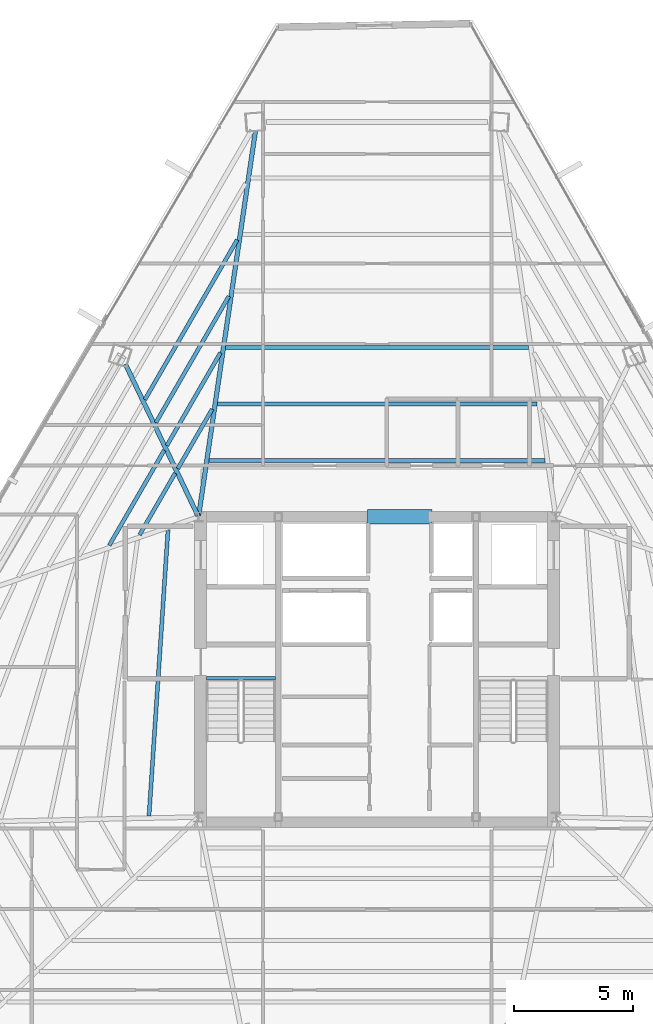
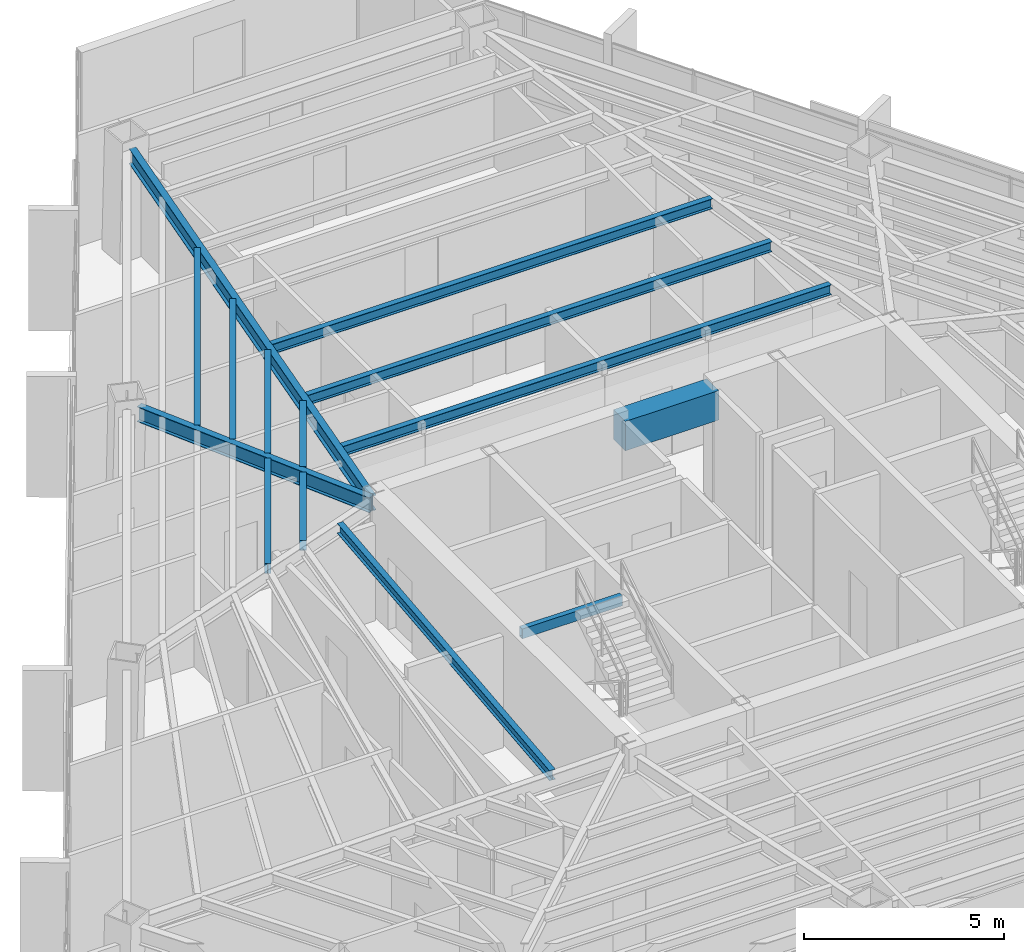
# One storey, part 17 of 42: 14 beams.
"""IFC4 building model written with IfcOpenShell, lengths in metres."""

import ifcopenshell
import ifcopenshell.guid

model = None  # the IFC model being written
_history = None  # IfcOwnerHistory: only IFC2X3 demands one
_inside = {}  # id of a spatial element -> (the spatial element, [elements in it])
_under = {}  # id of a project, library or spatial element -> (it, [spatial elements below it])
_declared = {}  # id of a project -> (the project, [libraries it declares])
_typed = {}  # id of a type object -> (the type object, [elements of that type])
_made_of = {}  # id of a material, layer set ... -> (it, [elements and type objects made of it])


def new_model(schema):
    """Start an empty IFC model of exactly this schema.

    Asked for "IFC4X3", IfcOpenShell would pick the latest addendum, in which some entities
    have other attributes; the version numbers below select the first issue.
    IFC2X3 requires an IfcOwnerHistory on every rooted entity: one is made here for all.
    """
    global model, _history
    if schema == "IFC4X3":
        model = ifcopenshell.file(schema_version=(4, 3, 0, 0))
    else:
        model = ifcopenshell.file(schema=schema)
    _inside.clear()
    _under.clear()
    _declared.clear()
    _typed.clear()
    _made_of.clear()
    _history = None
    if model.schema == "IFC2X3":
        org = make("IfcOrganization", Name="unknown")
        user = make(
            "IfcPersonAndOrganization",
            ThePerson=make("IfcPerson", FamilyName="unknown"),
            TheOrganization=org,
        )
        app = make(
            "IfcApplication",
            ApplicationDeveloper=org,
            Version="unknown",
            ApplicationFullName="unknown",
            ApplicationIdentifier="unknown",
        )
        _history = make(
            "IfcOwnerHistory",
            OwningUser=user,
            OwningApplication=app,
            ChangeAction="ADDED",
            CreationDate=0,
        )
    return model


def make(cls, **values):
    """One entity of the class cls with the attributes given. An attribute that is None is left unset."""
    return model.create_entity(
        cls, **{name: value for name, value in values.items() if value is not None}
    )


def rooted(cls, **values):
    """An entity with a GlobalId (a new one), such as an element, a storey or a relation."""
    return make(cls, GlobalId=ifcopenshell.guid.new(), OwnerHistory=_history, **values)


def si_unit(unit_type, name, prefix=None):
    """IfcSIUnit, for example si_unit("LENGTHUNIT", "METRE", prefix="MILLI")."""
    return make("IfcSIUnit", UnitType=unit_type, Prefix=prefix, Name=name)


def assignment(units):
    """IfcUnitAssignment: the units of a project."""
    return None if units is None else make("IfcUnitAssignment", Units=units)


def point(xyz):
    """IfcCartesianPoint."""
    return None if xyz is None else make("IfcCartesianPoint", Coordinates=xyz)


def direction(xyz):
    """IfcDirection."""
    return None if xyz is None else make("IfcDirection", DirectionRatios=xyz)


def frame(location, z_axis=None, x_axis=None):
    """IfcAxis2Placement3D, a coordinate frame: its origin and axes. An axis left out is left unset."""
    return make(
        "IfcAxis2Placement3D",
        Location=point(location),
        Axis=direction(z_axis),
        RefDirection=direction(x_axis),
    )


def frame_2d(location, x_axis=None):
    """IfcAxis2Placement2D, a coordinate frame in the plane: its origin and x axis."""
    return make(
        "IfcAxis2Placement2D", Location=point(location), RefDirection=direction(x_axis)
    )


def origin():
    """The frame at (0, 0, 0) with its axes left unset."""
    return frame((0.0, 0.0, 0.0))


def origin_2d():
    """The frame at (0, 0) in the plane with its x axis left unset."""
    return frame_2d((0.0, 0.0))


def place(relative_to, where):
    """IfcLocalPlacement: puts the frame where relative to a parent placement (None: the world)."""
    return make(
        "IfcLocalPlacement", PlacementRelTo=relative_to, RelativePlacement=where
    )


def context(
    kind, dimensions, precision=None, world=None, true_north=None, identifier=None
):
    """IfcGeometricRepresentationContext, for example the 3D "Model" context."""
    return make(
        "IfcGeometricRepresentationContext",
        ContextIdentifier=identifier,
        ContextType=kind,
        CoordinateSpaceDimension=dimensions,
        Precision=precision,
        WorldCoordinateSystem=world,
        TrueNorth=true_north,
    )


def subcontext(parent, identifier, kind, view, scale=None):
    """IfcGeometricRepresentationSubContext, for example "Body" below "Model"."""
    return make(
        "IfcGeometricRepresentationSubContext",
        ContextIdentifier=identifier,
        ContextType=kind,
        ParentContext=parent,
        TargetScale=scale,
        TargetView=view,
    )


def project(units=None, contexts=None):
    """IfcProject with its units and contexts."""
    return rooted(
        "IfcProject",
        Name="project",
        RepresentationContexts=contexts,
        UnitsInContext=assignment(units),
    )


def spatial(cls, under=None, at=None, **own):
    """A site, building, storey or space (cls), placed at a placement, below another one or the project."""
    s = rooted(cls, ObjectPlacement=at, **own)
    if under is not None:
        _under.setdefault(under.id(), (under, []))[1].append(s)
    return s


def profile(cls, at=None, kind="AREA", **sizes):
    """A parametric profile (cls). Its sizes go by their IFC names, for example OverallWidth=200.0."""
    return make(cls, ProfileType=kind, Position=at, **sizes)


def rectangle(**sizes):
    """IfcRectangleProfileDef."""
    return profile("IfcRectangleProfileDef", **sizes)


def hollow_rectangle(**sizes):
    """IfcRectangleHollowProfileDef."""
    return profile("IfcRectangleHollowProfileDef", **sizes)


def i_section(**sizes):
    """IfcIShapeProfileDef."""
    return profile("IfcIShapeProfileDef", **sizes)


def extrude(swept, where, along, depth):
    """IfcExtrudedAreaSolid: the profile swept, set in the frame where, extruded along a direction by depth."""
    return make(
        "IfcExtrudedAreaSolid",
        SweptArea=swept,
        Position=where,
        ExtrudedDirection=direction(along),
        Depth=depth,
    )


def shape(context_of_items, identifier, shape_type, items):
    """IfcShapeRepresentation: the items that make up one representation, for example the "Body"."""
    return make(
        "IfcShapeRepresentation",
        ContextOfItems=context_of_items,
        RepresentationIdentifier=identifier,
        RepresentationType=shape_type,
        Items=items,
    )


def source(mapping_origin, context_of_items, identifier, shape_type, items):
    """IfcRepresentationMap: a shape defined once, which mapped items show again and again."""
    return make(
        "IfcRepresentationMap",
        MappingOrigin=mapping_origin,
        MappedRepresentation=shape(context_of_items, identifier, shape_type, items),
    )


def transform(
    local_origin,
    x_axis=None,
    y_axis=None,
    z_axis=None,
    scale=None,
    scale2=None,
    scale3=None,
    uniform=True,
):
    """IfcCartesianTransformationOperator3D, or its non-uniform kind. x_axis, y_axis, z_axis: its Axis1, 2, 3."""
    if uniform:
        return make(
            "IfcCartesianTransformationOperator3D",
            Axis1=direction(x_axis),
            Axis2=direction(y_axis),
            LocalOrigin=point(local_origin),
            Scale=scale,
            Axis3=direction(z_axis),
        )
    return make(
        "IfcCartesianTransformationOperator3DnonUniform",
        Axis1=direction(x_axis),
        Axis2=direction(y_axis),
        LocalOrigin=point(local_origin),
        Scale=scale,
        Axis3=direction(z_axis),
        Scale2=scale2,
        Scale3=scale3,
    )


def mapped(mapping_source, mapping_target):
    """IfcMappedItem: shows the shape of a source again, moved by a transform."""
    return make(
        "IfcMappedItem", MappingSource=mapping_source, MappingTarget=mapping_target
    )


def material(Name=None, Category=None):
    """IfcMaterial."""
    return make("IfcMaterial", Name=Name, Category=Category)


def material_profile(
    of_material, cross_section, Name=None, Category=None, Priority=None
):
    """IfcMaterialProfile: a cross section and its material."""
    return make(
        "IfcMaterialProfile",
        Name=Name,
        Material=of_material,
        Profile=cross_section,
        Priority=Priority,
        Category=Category,
    )


def profile_set(profiles, Name=None, composite=None):
    """IfcMaterialProfileSet."""
    return make(
        "IfcMaterialProfileSet",
        Name=Name,
        MaterialProfiles=profiles,
        CompositeProfile=composite,
    )


def made_of(thing, what):
    """Note that an element or type object is made of a material, layer set ...; save() writes the relation."""
    if what is not None:
        _made_of.setdefault(what.id(), (what, []))[1].append(thing)
    return thing


def type_object(cls, material=None, **own):
    """A type object (cls), such as IfcWallType, which elements share."""
    return made_of(rooted(cls, **own), material)


def type_shapes(of_type, sources):
    """Give a type object the sources (RepresentationMaps) that its elements show as mapped items."""
    of_type.RepresentationMaps = sources


def element(
    cls,
    number,
    at=None,
    inside=None,
    cuts=None,
    type_object=None,
    material=None,
    context=None,
    identifier="Body",
    shape_type=None,
    held_by="IfcProductDefinitionShape",
    body=None,
    shapes=None,
    **own,
):
    """One element of the class cls, such as IfcWall. Its Tag is "e" and its number.

    at: its placement. inside: the storey or other place that contains it. cuts: it is an
    opening in that element (IfcRelVoidsElement). A single representation is given by context,
    identifier, shape_type and body (its items); several are given by shapes. held_by: the class
    of the entity that holds the representations. save() writes the other relations.
    """
    e = rooted(cls, Tag="e%d" % number, ObjectPlacement=at, **own)
    if body is not None:
        shapes = [shape(context, identifier, shape_type, body)]
    if shapes is not None:
        e.Representation = make(held_by, Representations=shapes)
    if inside is not None:
        _inside.setdefault(inside.id(), (inside, []))[1].append(e)
    if cuts is not None:
        rooted(
            "IfcRelVoidsElement", RelatingBuildingElement=cuts, RelatedOpeningElement=e
        )
    if type_object is not None:
        _typed.setdefault(type_object.id(), (type_object, []))[1].append(e)
    return made_of(e, material)


def aggregate(whole, parts):
    """IfcRelAggregates: a whole, such as a stair, and the parts it consists of."""
    return rooted("IfcRelAggregates", RelatingObject=whole, RelatedObjects=parts)


def save(model, path):
    """Write the relations noted so far, then the file.

    IfcRelAggregates (storeys below a building ...), IfcRelContainedInSpatialStructure (elements
    in a storey), IfcRelDefinesByType, IfcRelAssociatesMaterial and IfcRelDeclares: one each for
    every whole, place, type object, material and project.
    """
    for whole, parts in _under.values():
        aggregate(whole, parts)
    for where, things in _inside.values():
        rooted(
            "IfcRelContainedInSpatialStructure",
            RelatedElements=things,
            RelatingStructure=where,
        )
    for kind, things in _typed.values():
        rooted("IfcRelDefinesByType", RelatedObjects=things, RelatingType=kind)
    for what, things in _made_of.values():
        rooted("IfcRelAssociatesMaterial", RelatedObjects=things, RelatingMaterial=what)
    for by, libraries in _declared.values():
        rooted("IfcRelDeclares", RelatingContext=by, RelatedDefinitions=libraries)
    model.write(path)


model = new_model("IFC4")

# Units and contexts
model_context = context("Model", 3, precision=1e-05, world=origin(), true_north=direction((0.0, 1.0)))
body_context = subcontext(model_context, "Body", "Model", "MODEL_VIEW")
ifc_project = project(units=[si_unit("LENGTHUNIT", "METRE"), si_unit("AREAUNIT", "SQUARE_METRE"), si_unit("VOLUMEUNIT", "CUBIC_METRE"), si_unit("PLANEANGLEUNIT", "RADIAN"), si_unit("MASSUNIT", "GRAM", prefix="KILO")], contexts=[model_context])

# Site, building, storey
site_placement = place(None, origin())
site = spatial("IfcSite", under=ifc_project, at=site_placement, CompositionType="ELEMENT")
building_placement = place(site_placement, origin())
building = spatial("IfcBuilding", under=site, at=building_placement, Name="Caelisora Broadcast Tower", CompositionType="ELEMENT")
storey_placement = place(building_placement, frame((0.0, 0.0, 202.300048828125)))
storey = spatial("IfcBuildingStorey", under=building, at=storey_placement, Name="L53", CompositionType="ELEMENT", Elevation=202.300048828125)

# Beams
ifc_material_1 = material(Name="Steel Grade 350 (AS/NZS 1163 C350L0)", Category="steel")
ifc_material_profile_1 = material_profile(ifc_material_1, hollow_rectangle(XDim=0.14990234375, YDim=0.300048828125, WallThickness=0.010009765625, at=origin_2d()), Name="Steel Grade 350 (AS/NZS 1163 C350L0)")
ifc_profile_set_1 = profile_set([ifc_material_profile_1], Name="Steel Grade 350 (AS/NZS 1163 C350L0)")
beam_type_1 = type_object("IfcBeamType", Name="SB05", PredefinedType="JOIST", material=ifc_profile_set_1)
shared_shape_1 = source(origin(), body_context, "Body", "SweptSolid", [
    extrude(hollow_rectangle(XDim=0.14990234375, YDim=0.300048828125, WallThickness=0.010009765625, at=origin_2d()), origin(), (0.0, 0.0, 1.0), 2.89990234375),
])
type_shapes(beam_type_1, [shared_shape_1])
beam_1_placement = place(storey_placement, frame((30.840087890625, 23.219970703125, 3.25), z_axis=(1.0, 0.0, 0.0), x_axis=(0.0, 1.0, 0.0)))
element("IfcBeam", 1, at=beam_1_placement, inside=storey, type_object=beam_type_1, Name="L53 beam SB05", PredefinedType="JOIST", context=body_context, shape_type="MappedRepresentation", body=[
    mapped(shared_shape_1, transform((0.0, 0.0, 0.0), scale=1.0)),
])
ifc_material_2 = material(Name="Concrete 50 MPa (AS 3600 S50)", Category="concrete")
ifc_material_profile_2 = material_profile(ifc_material_2, rectangle(XDim=0.60009765625, YDim=0.89990234375, at=origin_2d()), Name="Concrete 50 MPa (AS 3600 S50)")
ifc_profile_set_2 = profile_set([ifc_material_profile_2], Name="Concrete 50 MPa (AS 3600 S50)")
beam_type_2 = type_object("IfcBeamType", Name="CB02", PredefinedType="LINTEL", material=ifc_profile_set_2)
shared_shape_2 = source(origin(), body_context, "Body", "SweptSolid", [
    extrude(rectangle(XDim=0.60009765625, YDim=0.89990234375, at=origin_2d()), origin(), (0.0, 0.0, 1.0), 2.699951171875),
])
type_shapes(beam_type_2, [shared_shape_2])
beam_2_placement = place(storey_placement, frame((37.60009765625, 30.0, 2.949951171875), z_axis=(1.0, 0.0, 0.0), x_axis=(0.0, 1.0, 0.0)))
element("IfcBeam", 2, at=beam_2_placement, inside=storey, type_object=beam_type_2, Name="L53 beam CB02", PredefinedType="LINTEL", context=body_context, shape_type="MappedRepresentation", body=[
    mapped(shared_shape_2, transform((0.0, 0.0, 0.0), scale=1.0)),
])
ifc_material_3 = material(Name="Steel Grade 350 (AS/NZS 3679.1)", Category="steel")
ifc_material_profile_3 = material_profile(ifc_material_3, i_section(OverallWidth=0.166015625, OverallDepth=0.30712890625, WebThickness=0.006591796875, FlangeThickness=0.01171875, at=origin_2d()), Name="Steel Grade 350 (AS/NZS 3679.1)")
ifc_profile_set_3 = profile_set([ifc_material_profile_3], Name="Steel Grade 350 (AS/NZS 3679.1)")
beam_type_3 = type_object("IfcBeamType", Name="SB03", PredefinedType="JOIST", material=ifc_profile_set_3)
shared_shape_3 = source(origin(), body_context, "Body", "SweptSolid", [
    extrude(i_section(OverallWidth=0.166015625, OverallDepth=0.30712890625, WebThickness=0.006591796875, FlangeThickness=0.01171875, at=origin_2d()), origin(), (0.0, 0.0, 1.0), 14.11328125),
])
beam_3_placement = place(storey_placement, frame((45.056640625, 32.369384765625, 3.246337890625), z_axis=(-1.0, 0.0, 0.0), x_axis=(0.0, -1.0, 0.0)))
element("IfcBeam", 3, at=beam_3_placement, inside=storey, type_object=beam_type_3, Name="L53 beam SB03", PredefinedType="JOIST", context=body_context, shape_type="MappedRepresentation", body=[
    mapped(shared_shape_3, transform((0.0, 0.0, 0.0), scale=1.0)),
])
shared_shape_4 = source(origin(), body_context, "Body", "SweptSolid", [
    extrude(i_section(OverallWidth=0.166015625, OverallDepth=0.30712890625, WebThickness=0.006591796875, FlangeThickness=0.01171875, at=origin_2d()), origin(), (0.0, 0.0, 1.0), 13.41357421875),
])
beam_4_placement = place(storey_placement, frame((44.706787109375, 34.73876953125, 3.246337890625), z_axis=(-1.0, 0.0, 0.0), x_axis=(0.0, -1.0, 0.0)))
element("IfcBeam", 4, at=beam_4_placement, inside=storey, type_object=beam_type_3, Name="L53 beam SB03", PredefinedType="JOIST", context=body_context, shape_type="MappedRepresentation", body=[
    mapped(shared_shape_4, transform((0.0, 0.0, 0.0), scale=1.0)),
])
ifc_material_profile_4 = material_profile(ifc_material_3, i_section(OverallWidth=0.19091796875, OverallDepth=0.46044921875, WebThickness=0.010009765625, FlangeThickness=0.01611328125, at=origin_2d()), Name="Steel Grade 350 (AS/NZS 3679.1)")
ifc_profile_set_4 = profile_set([ifc_material_profile_4], Name="Steel Grade 350 (AS/NZS 3679.1)")
beam_type_4 = type_object("IfcBeamType", Name="PG06", PredefinedType="BEAM", material=ifc_profile_set_4)
shared_shape_5 = source(origin(), body_context, "Body", "SweptSolid", [
    extrude(i_section(OverallWidth=0.19091796875, OverallDepth=0.46044921875, WebThickness=0.010009765625, FlangeThickness=0.01611328125, at=origin_2d()), origin(), (0.0, 0.0, 1.0), 16.32958984375),
])
beam_5_placement = place(storey_placement, frame((30.5087890625, 30.059326171875, 3.169677734375), z_axis=(0.146068575075, 0.98927446716, 0.0), x_axis=(-0.98927446716, 0.146068575075, 0.0)))
element("IfcBeam", 5, at=beam_5_placement, inside=storey, type_object=beam_type_4, Name="L53 beam PG06", PredefinedType="BEAM", context=body_context, shape_type="MappedRepresentation", body=[
    mapped(shared_shape_5, transform((0.0, 0.0, 0.0), scale=1.0)),
])
shared_shape_6 = source(origin(), body_context, "Body", "SweptSolid", [
    extrude(i_section(OverallWidth=0.19091796875, OverallDepth=0.46044921875, WebThickness=0.010009765625, FlangeThickness=0.01611328125, at=origin_2d()), origin(), (0.0, 0.0, 1.0), 7.047607421875),
])
type_shapes(beam_type_4, [shared_shape_5, shared_shape_6])
beam_6_placement = place(storey_placement, frame((30.47412109375, 30.05419921875, 3.169677734375), z_axis=(-0.431529042418, 0.902099044202, 0.0), x_axis=(-0.902099044202, -0.431529042418, 0.0)))
element("IfcBeam", 6, at=beam_6_placement, inside=storey, type_object=beam_type_4, Name="L53 beam PG06", PredefinedType="BEAM", context=body_context, shape_type="MappedRepresentation", body=[
    mapped(shared_shape_6, transform((0.0, 0.0, 0.0), scale=1.0)),
])
shared_shape_7 = source(origin(), body_context, "Body", "SweptSolid", [
    extrude(i_section(OverallWidth=0.166015625, OverallDepth=0.30712890625, WebThickness=0.006591796875, FlangeThickness=0.01171875, at=origin_2d()), origin(), (0.0, 0.0, 1.0), 12.7138671875),
])
beam_7_placement = place(storey_placement, frame((44.35693359375, 37.108154296875, 3.246337890625), z_axis=(-1.0, 0.0, 0.0), x_axis=(0.0, -1.0, 0.0)))
element("IfcBeam", 7, at=beam_7_placement, inside=storey, type_object=beam_type_3, Name="L53 beam SB03", PredefinedType="JOIST", context=body_context, shape_type="MappedRepresentation", body=[
    mapped(shared_shape_7, transform((0.0, 0.0, 0.0), scale=1.0)),
])
shared_shape_8 = source(origin(), body_context, "Body", "SweptSolid", [
    extrude(i_section(OverallWidth=0.166015625, OverallDepth=0.30712890625, WebThickness=0.006591796875, FlangeThickness=0.01171875, at=origin_2d()), origin(), (0.0, 0.0, 1.0), 2.88330078125),
])
beam_8_placement = place(storey_placement, frame((31.075439453125, 34.523681640625, 3.246337890625), z_axis=(-0.499991201234, -0.866030483695, 0.0), x_axis=(0.866030483695, -0.499991201234, 0.0)))
element("IfcBeam", 8, at=beam_8_placement, inside=storey, type_object=beam_type_3, Name="L53 beam SB03", PredefinedType="JOIST", context=body_context, shape_type="MappedRepresentation", body=[
    mapped(shared_shape_8, transform((0.0, 0.0, 0.0), scale=1.0)),
])
shared_shape_9 = source(origin(), body_context, "Body", "SweptSolid", [
    extrude(i_section(OverallWidth=0.166015625, OverallDepth=0.30712890625, WebThickness=0.006591796875, FlangeThickness=0.01171875, at=origin_2d()), origin(), (0.0, 0.0, 1.0), 4.506103515625),
])
beam_9_placement = place(storey_placement, frame((31.42529296875, 36.893310546875, 3.246337890625), z_axis=(-0.499985098601, -0.86603400694, 0.0), x_axis=(0.86603400694, -0.499985098601, 0.0)))
element("IfcBeam", 9, at=beam_9_placement, inside=storey, type_object=beam_type_3, Name="L53 beam SB03", PredefinedType="JOIST", context=body_context, shape_type="MappedRepresentation", body=[
    mapped(shared_shape_9, transform((0.0, 0.0, 0.0), scale=1.0)),
])
shared_shape_10 = source(origin(), body_context, "Body", "SweptSolid", [
    extrude(i_section(OverallWidth=0.166015625, OverallDepth=0.30712890625, WebThickness=0.006591796875, FlangeThickness=0.01171875, at=origin_2d()), origin(), (0.0, 0.0, 1.0), 6.128173828125),
])
beam_10_placement = place(storey_placement, frame((31.775146484375, 39.2626953125, 3.246337890625), z_axis=(-0.499986848347, -0.866032996762, 0.0), x_axis=(0.866032996762, -0.499986848347, 0.0)))
element("IfcBeam", 10, at=beam_10_placement, inside=storey, type_object=beam_type_3, Name="L53 beam SB03", PredefinedType="JOIST", context=body_context, shape_type="MappedRepresentation", body=[
    mapped(shared_shape_10, transform((0.0, 0.0, 0.0), scale=1.0)),
])
shared_shape_11 = source(origin(), body_context, "Body", "SweptSolid", [
    extrude(i_section(OverallWidth=0.166015625, OverallDepth=0.30712890625, WebThickness=0.006591796875, FlangeThickness=0.01171875, at=origin_2d()), origin(), (0.0, 0.0, 1.0), 7.75048828125),
])
beam_11_placement = place(storey_placement, frame((32.125, 41.632080078125, 3.246337890625), z_axis=(-0.499997851292, -0.866026644338, 0.0), x_axis=(0.866026644338, -0.499997851292, 0.0)))
element("IfcBeam", 11, at=beam_11_placement, inside=storey, type_object=beam_type_3, Name="L53 beam SB03", PredefinedType="JOIST", context=body_context, shape_type="MappedRepresentation", body=[
    mapped(shared_shape_11, transform((0.0, 0.0, 0.0), scale=1.0)),
])
shared_shape_12 = source(origin(), body_context, "Body", "SweptSolid", [
    extrude(i_section(OverallWidth=0.166015625, OverallDepth=0.30712890625, WebThickness=0.006591796875, FlangeThickness=0.01171875, at=origin_2d()), origin(), (0.0, 0.0, 1.0), 2.989013671875),
])
beam_12_placement = place(storey_placement, frame((29.52099609375, 31.831298828125, 3.246337890625), z_axis=(-0.500021752, -0.866012844897, 0.0), x_axis=(0.866012844897, -0.500021752, 0.0)))
element("IfcBeam", 12, at=beam_12_placement, inside=storey, type_object=beam_type_3, Name="L53 beam SB03", PredefinedType="JOIST", context=body_context, shape_type="MappedRepresentation", body=[
    mapped(shared_shape_12, transform((0.0, 0.0, 0.0), scale=1.0)),
])
shared_shape_13 = source(origin(), body_context, "Body", "SweptSolid", [
    extrude(i_section(OverallWidth=0.166015625, OverallDepth=0.30712890625, WebThickness=0.006591796875, FlangeThickness=0.01171875, at=origin_2d()), origin(), (0.0, 0.0, 1.0), 4.611328125),
])
beam_13_placement = place(storey_placement, frame((29.0595703125, 32.795654296875, 3.246337890625), z_axis=(-0.499988258513, -0.866032182629, 0.0), x_axis=(0.866032182629, -0.499988258513, 0.0)))
element("IfcBeam", 13, at=beam_13_placement, inside=storey, type_object=beam_type_3, Name="L53 beam SB03", PredefinedType="JOIST", context=body_context, shape_type="MappedRepresentation", body=[
    mapped(shared_shape_13, transform((0.0, 0.0, 0.0), scale=1.0)),
])
shared_shape_14 = source(origin(), body_context, "Body", "SweptSolid", [
    extrude(i_section(OverallWidth=0.166015625, OverallDepth=0.30712890625, WebThickness=0.006591796875, FlangeThickness=0.01171875, at=origin_2d()), origin(), (0.0, 0.0, 1.0), 12.0380859375),
])
type_shapes(beam_type_3, [shared_shape_3, shared_shape_4, shared_shape_7, shared_shape_8, shared_shape_9, shared_shape_10, shared_shape_11, shared_shape_12, shared_shape_13, shared_shape_14])
beam_14_placement = place(storey_placement, frame((29.220703125, 29.458984375, 3.246337890625), z_axis=(-0.066296910627, -0.997799939688, 0.0), x_axis=(0.997799939688, -0.066296910627, 0.0)))
element("IfcBeam", 14, at=beam_14_placement, inside=storey, type_object=beam_type_3, Name="L53 beam SB03", PredefinedType="JOIST", context=body_context, shape_type="MappedRepresentation", body=[
    mapped(shared_shape_14, transform((0.0, 0.0, 0.0), scale=1.0)),
])

save(model, "model.ifc")
